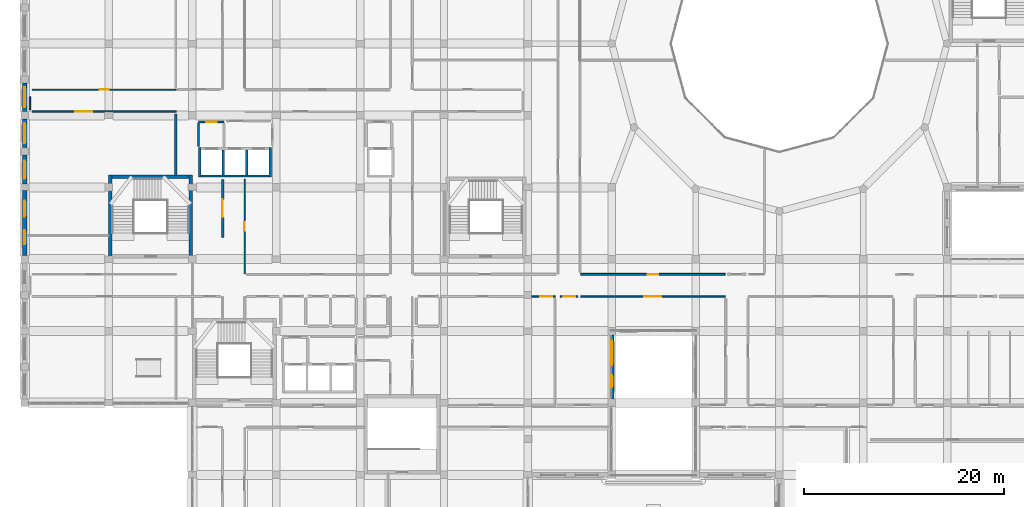
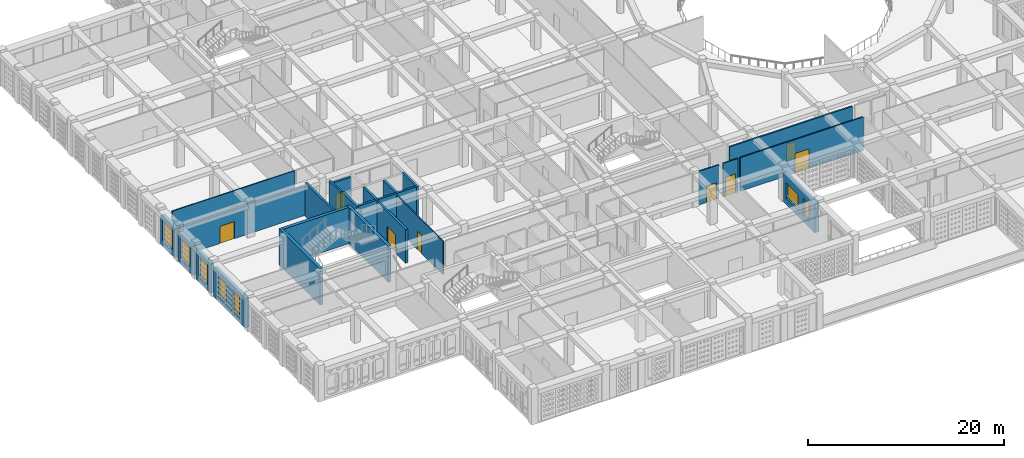
# One storey, part 58 of 111: 25 walls, 9 doors, 7 windows, 16 openings.
"""IFC4 building model written with IfcOpenShell, lengths in metres."""

from ifc_helpers import new_model, si_unit, derived_unit, direction, frame, frame_2d, origin, place, context, subcontext, project, spatial, rectangle, extrude, material, layer, layer_set, type_object, element, fill, save


model = new_model("IFC4")

# Units and contexts
model_context = context("Model", 3, precision=1e-05, world=origin(), true_north=direction((0.0, 1.0)))
body_context = subcontext(model_context, "Body", "Model", "MODEL_VIEW")
ifc_project = project(units=[si_unit("LENGTHUNIT", "METRE"), si_unit("AREAUNIT", "SQUARE_METRE"), si_unit("VOLUMEUNIT", "CUBIC_METRE"), si_unit("PLANEANGLEUNIT", "RADIAN"), si_unit("MASSUNIT", "GRAM", prefix="KILO"), derived_unit("THERMALTRANSMITTANCEUNIT", [(si_unit("POWERUNIT", "WATT"), 1), (si_unit("LENGTHUNIT", "METRE"), -2), (si_unit("THERMODYNAMICTEMPERATUREUNIT", "KELVIN"), -1)])], contexts=[model_context])

# Site, building, storey
site_placement = place(None, origin())
site = spatial("IfcSite", under=ifc_project, at=site_placement, CompositionType="ELEMENT")
building_placement = place(site_placement, origin())
building = spatial("IfcBuilding", under=site, at=building_placement, Name="Veybourne Emporium", CompositionType="ELEMENT")
storey_placement = place(building_placement, frame((0.0, 0.0, 9.89990234375)))
storey = spatial("IfcBuildingStorey", under=building, at=storey_placement, Name="L02", CompositionType="ELEMENT", Elevation=9.89990234375)

# Wall, openings, windows
ifc_material_1 = material(Name="Portland Limestone Ashlar", Category="masonry")
ifc_layer_1 = layer(ifc_material_1, 0.47998046875)
ifc_layer_set_1 = layer_set([ifc_layer_1], Name="Portland Limestone Ashlar")
wall_type_1 = type_object("IfcWallType", Name="ExtWall_EW-01", PredefinedType="SOLIDWALL", material=ifc_layer_set_1)
wall_1_placement = place(storey_placement, frame((0.0, 29.175048828125, 0.0), z_axis=(0.0, 0.0, 1.0), x_axis=(0.0, 1.0, 0.0)))
wall_1 = element("IfcWall", 1, at=wall_1_placement, inside=storey, type_object=wall_type_1, Name="L02 Portland stone external wall 004", PredefinedType="SOLIDWALL", context=body_context, shape_type="SweptSolid", body=[
    extrude(rectangle(XDim=6.5, YDim=0.47998046875, at=frame_2d((3.25, 0.0))), origin(), (0.0, 0.0, 1.0), 3.630126953125),
])
opening_1_placement = place(wall_1_placement, frame((1.1201171875, 0.0, 0.75)))
opening_1 = element("IfcOpeningElement", 2, at=opening_1_placement, cuts=wall_1, Name="Opening W-26", PredefinedType="OPENING", context=body_context, shape_type="SweptSolid", body=[
    extrude(rectangle(XDim=1.39990234375, YDim=2.43994140625, at=frame_2d((0.699951171875, 1.219970703125))), frame((0.0, 0.260009765625, 0.0), z_axis=(0.0, -1.0, 0.0), x_axis=(1.0, 0.0, 0.0)), (0.0, 0.0, 1.0), 0.52001953125),
])
opening_2_placement = place(wall_1_placement, frame((3.8798828125, 0.0, 0.75)))
opening_2 = element("IfcOpeningElement", 3, at=opening_2_placement, cuts=wall_1, Name="Opening W-27", PredefinedType="OPENING", context=body_context, shape_type="SweptSolid", body=[
    extrude(rectangle(XDim=1.60009765625, YDim=2.43994140625, at=frame_2d((0.800048828125, 1.219970703125))), frame((0.0, 0.260009765625, 0.0), z_axis=(0.0, -1.0, 0.0), x_axis=(1.0, 0.0, 0.0)), (0.0, 0.0, 1.0), 0.52001953125),
])
ifc_material_2 = material(Name="Low-E Triple Glazing", Category="glass")
window_type_1 = type_object("IfcWindowType", Name="Win_W-26", PartitioningType="DOUBLE_PANEL_VERTICAL", PredefinedType="WINDOW", material=ifc_material_2)
window_1_placement = place(opening_1_placement, origin())
window_1 = element("IfcWindow", 4, at=window_1_placement, inside=storey, type_object=window_type_1, Name="L02 tripartite bronze casement window W-26 (4.1)", OverallHeight=2.43994140625, OverallWidth=1.39990234375, PartitioningType="DOUBLE_PANEL_VERTICAL", PredefinedType="WINDOW", context=body_context, shape_type="SweptSolid", body=[
    extrude(rectangle(XDim=1.39990234375, YDim=2.43994140625, at=frame_2d((0.699951171875, 1.219970703125))), frame((0.0, 0.030029296875, 0.0), z_axis=(0.0, -1.0, 0.0), x_axis=(1.0, 0.0, 0.0)), (0.0, 0.0, 1.0), 0.06005859375),
])
fill(opening_1, window_1)
window_type_2 = type_object("IfcWindowType", Name="Win_W-27", PartitioningType="DOUBLE_PANEL_VERTICAL", PredefinedType="WINDOW", material=ifc_material_2)
window_2_placement = place(opening_2_placement, origin())
window_2 = element("IfcWindow", 5, at=window_2_placement, inside=storey, type_object=window_type_2, Name="L02 tripartite bronze casement window W-27 (4.2)", OverallHeight=2.43994140625, OverallWidth=1.60009765625, PartitioningType="DOUBLE_PANEL_VERTICAL", PredefinedType="WINDOW", context=body_context, shape_type="SweptSolid", body=[
    extrude(rectangle(XDim=1.60009765625, YDim=2.43994140625, at=frame_2d((0.800048828125, 1.219970703125))), frame((0.0, 0.030029296875, 0.0), z_axis=(0.0, -1.0, 0.0), x_axis=(1.0, 0.0, 0.0)), (0.0, 0.0, 1.0), 0.06005859375),
])
fill(opening_2, window_2)

# Wall, opening, window
wall_2_placement = place(storey_placement, frame((0.0, 36.324951171875, 0.0), z_axis=(0.0, 0.0, 1.0), x_axis=(0.0, 1.0, 0.0)))
wall_2 = element("IfcWall", 6, at=wall_2_placement, inside=storey, type_object=wall_type_1, Name="L02 Portland stone external wall 005A", PredefinedType="SOLIDWALL", context=body_context, shape_type="SweptSolid", body=[
    extrude(rectangle(XDim=2.905029296875, YDim=0.47998046875, at=frame_2d((1.45263671875, 0.0))), origin(), (0.0, 0.0, 1.0), 3.630126953125),
])
opening_3_placement = place(wall_2_placement, frame((0.552490234375, 0.0, 0.75)))
opening_3 = element("IfcOpeningElement", 7, at=opening_3_placement, cuts=wall_2, Name="Opening W-28", PredefinedType="OPENING", context=body_context, shape_type="SweptSolid", body=[
    extrude(rectangle(XDim=1.800048828125, YDim=2.43994140625, at=frame_2d((0.89990234375, 1.219970703125))), frame((0.0, 0.260009765625, 0.0), z_axis=(0.0, -1.0, 0.0), x_axis=(1.0, 0.0, 0.0)), (0.0, 0.0, 1.0), 0.52001953125),
])
window_type_3 = type_object("IfcWindowType", Name="Win_W-28", PartitioningType="DOUBLE_PANEL_VERTICAL", PredefinedType="WINDOW", material=ifc_material_2)
window_3_placement = place(opening_3_placement, origin())
window_3 = element("IfcWindow", 8, at=window_3_placement, inside=storey, type_object=window_type_3, Name="L02 tripartite bronze casement window W-28 (5A)", OverallHeight=2.43994140625, OverallWidth=1.800048828125, PartitioningType="DOUBLE_PANEL_VERTICAL", PredefinedType="WINDOW", context=body_context, shape_type="SweptSolid", body=[
    extrude(rectangle(XDim=1.800048828125, YDim=2.43994140625, at=frame_2d((0.89990234375, 1.219970703125))), frame((0.0, 0.030029296875, 0.0), z_axis=(0.0, -1.0, 0.0), x_axis=(1.0, 0.0, 0.0)), (0.0, 0.0, 1.0), 0.06005859375),
])
fill(opening_3, window_3)

wall_3_placement = place(storey_placement, frame((0.0, 39.969970703125, 0.0), z_axis=(0.0, 0.0, 1.0), x_axis=(0.0, 1.0, 0.0)))
wall_3 = element("IfcWall", 9, at=wall_3_placement, inside=storey, type_object=wall_type_1, Name="L02 Portland stone external wall 005B", PredefinedType="SOLIDWALL", context=body_context, shape_type="SweptSolid", body=[
    extrude(rectangle(XDim=2.85498046875, YDim=0.47998046875, at=frame_2d((1.427490234375, 0.0))), origin(), (0.0, 0.0, 1.0), 3.630126953125),
])
opening_4_placement = place(wall_3_placement, frame((0.427490234375, 0.0, 0.75)))
opening_4 = element("IfcOpeningElement", 10, at=opening_4_placement, cuts=wall_3, Name="Opening W-29", PredefinedType="OPENING", context=body_context, shape_type="SweptSolid", body=[
    extrude(rectangle(XDim=2.0, YDim=2.43994140625, at=frame_2d((1.0, 1.219970703125))), frame((0.0, 0.260009765625, 0.0), z_axis=(0.0, -1.0, 0.0), x_axis=(1.0, 0.0, 0.0)), (0.0, 0.0, 1.0), 0.52001953125),
])
window_type_4 = type_object("IfcWindowType", Name="Win_W-29", PartitioningType="TRIPLE_PANEL_VERTICAL", PredefinedType="WINDOW", material=ifc_material_2)
window_4_placement = place(opening_4_placement, origin())
window_4 = element("IfcWindow", 11, at=window_4_placement, inside=storey, type_object=window_type_4, Name="L02 tripartite bronze casement window W-29 (5B)", OverallHeight=2.43994140625, OverallWidth=2.0, PartitioningType="TRIPLE_PANEL_VERTICAL", PredefinedType="WINDOW", context=body_context, shape_type="SweptSolid", body=[
    extrude(rectangle(XDim=2.0, YDim=2.43994140625, at=frame_2d((1.0, 1.219970703125))), frame((0.0, 0.030029296875, 0.0), z_axis=(0.0, -1.0, 0.0), x_axis=(1.0, 0.0, 0.0)), (0.0, 0.0, 1.0), 0.06005859375),
])
fill(opening_4, window_4)

wall_4_placement = place(storey_placement, frame((0.0, 43.574951171875, 0.0), z_axis=(0.0, 0.0, 1.0), x_axis=(0.0, 1.0, 0.0)))
wall_4 = element("IfcWall", 12, at=wall_4_placement, inside=storey, type_object=wall_type_1, Name="L02 Portland stone external wall 006A", PredefinedType="SOLIDWALL", context=body_context, shape_type="SweptSolid", body=[
    extrude(rectangle(XDim=2.85498046875, YDim=0.47998046875, at=frame_2d((1.427490234375, 0.0))), origin(), (0.0, 0.0, 1.0), 3.630126953125),
])
opening_5_placement = place(wall_4_placement, frame((0.427490234375, 0.0, 0.75)))
opening_5 = element("IfcOpeningElement", 13, at=opening_5_placement, cuts=wall_4, Name="Opening W-30", PredefinedType="OPENING", context=body_context, shape_type="SweptSolid", body=[
    extrude(rectangle(XDim=2.0, YDim=2.43994140625, at=frame_2d((1.0, 1.219970703125))), frame((0.0, 0.260009765625, 0.0), z_axis=(0.0, -1.0, 0.0), x_axis=(1.0, 0.0, 0.0)), (0.0, 0.0, 1.0), 0.52001953125),
])
window_type_5 = type_object("IfcWindowType", Name="Win_W-30", PartitioningType="TRIPLE_PANEL_VERTICAL", PredefinedType="WINDOW", material=ifc_material_2)
window_5_placement = place(opening_5_placement, origin())
window_5 = element("IfcWindow", 14, at=window_5_placement, inside=storey, type_object=window_type_5, Name="L02 tripartite bronze casement window W-30 (6A)", OverallHeight=2.43994140625, OverallWidth=2.0, PartitioningType="TRIPLE_PANEL_VERTICAL", PredefinedType="WINDOW", context=body_context, shape_type="SweptSolid", body=[
    extrude(rectangle(XDim=2.0, YDim=2.43994140625, at=frame_2d((1.0, 1.219970703125))), frame((0.0, 0.030029296875, 0.0), z_axis=(0.0, -1.0, 0.0), x_axis=(1.0, 0.0, 0.0)), (0.0, 0.0, 1.0), 0.06005859375),
])
fill(opening_5, window_5)

# Wall, openings, windows
wall_5_placement = place(storey_placement, frame((58.800048828125, 21.22509765625, 0.0), z_axis=(0.0, 0.0, 1.0), x_axis=(0.0, -1.0, 0.0)))
wall_5 = element("IfcWall", 15, at=wall_5_placement, inside=storey, type_object=wall_type_1, Name="L02 Portland stone external wall 031", PredefinedType="SOLIDWALL", context=body_context, shape_type="SweptSolid", body=[
    extrude(rectangle(XDim=6.4501953125, YDim=0.47998046875, at=frame_2d((3.22509765625, 0.0))), origin(), (0.0, 0.0, 1.0), 3.630126953125),
])
opening_6_placement = place(wall_5_placement, frame((0.5810546875, 0.0, 0.75)))
opening_6 = element("IfcOpeningElement", 16, at=opening_6_placement, cuts=wall_5, Name="Opening W-08", PredefinedType="OPENING", context=body_context, shape_type="SweptSolid", body=[
    extrude(rectangle(XDim=2.449951171875, YDim=1.89990234375, at=frame_2d((1.22509765625, 0.949951171875))), frame((0.0, 0.260009765625, 0.0), z_axis=(0.0, -1.0, 0.0), x_axis=(1.0, 0.0, 0.0)), (0.0, 0.0, 1.0), 0.52001953125),
])
opening_7_placement = place(wall_5_placement, frame((4.0439453125, 0.0, 0.75)))
opening_7 = element("IfcOpeningElement", 17, at=opening_7_placement, cuts=wall_5, Name="Opening W-09", PredefinedType="OPENING", context=body_context, shape_type="SweptSolid", body=[
    extrude(rectangle(XDim=1.199951171875, YDim=2.080078125, at=frame_2d((0.60009765625, 1.0400390625))), frame((0.0, 0.260009765625, 0.0), z_axis=(0.0, -1.0, 0.0), x_axis=(1.0, 0.0, 0.0)), (0.0, 0.0, 1.0), 0.52001953125),
])
window_type_6 = type_object("IfcWindowType", Name="Win_W-08", PartitioningType="TRIPLE_PANEL_VERTICAL", PredefinedType="WINDOW", material=ifc_material_2)
window_6_placement = place(opening_6_placement, origin())
window_6 = element("IfcWindow", 18, at=window_6_placement, inside=storey, type_object=window_type_6, Name="L02 tripartite bronze casement window W-08 (31.1)", OverallHeight=1.89990234375, OverallWidth=2.449951171875, PartitioningType="TRIPLE_PANEL_VERTICAL", PredefinedType="WINDOW", context=body_context, shape_type="SweptSolid", body=[
    extrude(rectangle(XDim=2.449951171875, YDim=1.89990234375, at=frame_2d((1.22509765625, 0.949951171875))), frame((0.0, 0.030029296875, 0.0), z_axis=(0.0, -1.0, 0.0), x_axis=(1.0, 0.0, 0.0)), (0.0, 0.0, 1.0), 0.06005859375),
])
fill(opening_6, window_6)
window_type_7 = type_object("IfcWindowType", Name="Win_W-09", PartitioningType="SINGLE_PANEL", PredefinedType="WINDOW", material=ifc_material_2)
window_7_placement = place(opening_7_placement, origin())
window_7 = element("IfcWindow", 19, at=window_7_placement, inside=storey, type_object=window_type_7, Name="L02 tripartite bronze casement window W-09 (31.2)", OverallHeight=2.080078125, OverallWidth=1.199951171875, PartitioningType="SINGLE_PANEL", PredefinedType="WINDOW", context=body_context, shape_type="SweptSolid", body=[
    extrude(rectangle(XDim=1.199951171875, YDim=2.080078125, at=frame_2d((0.60009765625, 1.0400390625))), frame((0.0, 0.030029296875, 0.0), z_axis=(0.0, -1.0, 0.0), x_axis=(1.0, 0.0, 0.0)), (0.0, 0.0, 1.0), 0.06005859375),
])
fill(opening_7, window_7)

# Walls
ifc_material_3 = material(Name="Concrete C40/50", Category="concrete")
ifc_layer_2 = layer(ifc_material_3, 0.35009765625)
ifc_layer_set_2 = layer_set([ifc_layer_2], Name="Concrete C40/50")
wall_type_2 = type_object("IfcWallType", Name="IntWall_CW-02", PredefinedType="SHEAR", material=ifc_layer_set_2)
wall_6_placement = place(storey_placement, frame((8.75, 37.074951171875, 0.0), z_axis=(0.0, 0.0, 1.0), x_axis=(1.0, 0.0, 0.0)))
element("IfcWall", 20, at=wall_6_placement, inside=storey, type_object=wall_type_2, Name="Core stair ST-02 north shear wall (L02)", PredefinedType="SHEAR", context=body_context, shape_type="SweptSolid", body=[
    extrude(rectangle(XDim=7.699951171875, YDim=0.35009765625, at=frame_2d((3.85009765625, 0.0))), origin(), (0.0, 0.0, 1.0), 4.5),
])
for number, where, z_axis, x_axis, name in (
    (21, (8.574951171875, 37.25, 0.0), (0.0, 0.0, 1.0), (0.0, -1.0, 0.0), "Core stair ST-02 west shear wall (L02)"),
    (22, (16.625, 28.89990234375, 0.0), (0.0, 0.0, 1.0), (0.0, 1.0, 0.0), "Core stair ST-02 east shear wall (L02)"),
):
    element("IfcWall", number, at=place(storey_placement, frame(where, z_axis=z_axis, x_axis=x_axis)), inside=storey, type_object=wall_type_2, Name=name, PredefinedType="SHEAR", context=body_context, shape_type="SweptSolid", body=[
        extrude(rectangle(XDim=8.35009765625, YDim=0.35009765625, at=frame_2d((4.175048828125, 0.0))), origin(), (0.0, 0.0, 1.0), 4.5),
    ])
ifc_layer_3 = layer(ifc_material_3, 0.239990234375)
ifc_layer_set_3 = layer_set([ifc_layer_3], Name="Concrete C40/50")
wall_type_3 = type_object("IfcWallType", Name="IntWall_CW-04", PredefinedType="SHEAR", material=ifc_layer_set_3)
wall_7_placement = place(storey_placement, frame((17.659912109375, 37.1298828125, 0.0), z_axis=(0.0, 0.0, 1.0), x_axis=(1.0, 0.0, 0.0)))
element("IfcWall", 23, at=wall_7_placement, inside=storey, type_object=wall_type_3, Name="Lift core C2 south shaft wall (L02)", PredefinedType="SHEAR", context=body_context, shape_type="SweptSolid", body=[
    extrude(rectangle(XDim=6.820068359375, YDim=0.239990234375, at=frame_2d((3.41015625, 0.0))), origin(), (0.0, 0.0, 1.0), 4.18017578125),
])
for number, where, z_axis, x_axis, name in (
    (24, (17.5400390625, 39.989990234375, 0.0), (0.0, 0.0, 1.0), (0.0, -1.0, 0.0), "Lift core C2 west shaft wall (L02)"),
    (25, (24.60009765625, 37.010009765625, 0.0), (0.0, 0.0, 1.0), (0.0, 1.0, 0.0), "Lift core C2 east shaft wall (L02)"),
):
    element("IfcWall", number, at=place(storey_placement, frame(where, z_axis=z_axis, x_axis=x_axis)), inside=storey, type_object=wall_type_3, Name=name, PredefinedType="SHEAR", context=body_context, shape_type="SweptSolid", body=[
        extrude(rectangle(XDim=2.97998046875, YDim=0.239990234375, at=frame_2d((1.489990234375, 0.0))), origin(), (0.0, 0.0, 1.0), 4.18017578125),
    ])
for number, where, z_axis, x_axis, name in (
    (26, (19.8798828125, 37.25, 0.0), (0.0, 0.0, 1.0), (0.0, 1.0, 0.0), "Lift core C2 divider wall 1 (L02)"),
    (27, (22.239990234375, 37.25, 0.0), (0.0, 0.0, 1.0), (0.0, 1.0, 0.0), "Lift core C2 divider wall 2 (L02)"),
):
    element("IfcWall", number, at=place(storey_placement, frame(where, z_axis=z_axis, x_axis=x_axis)), inside=storey, type_object=wall_type_3, Name=name, PredefinedType="SHEAR", context=body_context, shape_type="SweptSolid", body=[
        extrude(rectangle(XDim=2.5, YDim=0.239990234375, at=frame_2d((1.25, 0.0))), origin(), (0.0, 0.0, 1.0), 4.18017578125),
    ])

# Wall, opening, door
ifc_material_4 = material(Name="Concrete C32/40", Category="concrete")
ifc_layer_4 = layer(ifc_material_4, 0.25)
ifc_layer_set_4 = layer_set([ifc_layer_4], Name="Concrete C32/40")
wall_type_4 = type_object("IfcWallType", Name="IntWall_FW-01", PredefinedType="SOLIDWALL", material=ifc_layer_set_4)
wall_8_placement = place(storey_placement, frame((19.820068359375, 30.962890625, 0.0), z_axis=(0.0, 0.0, 1.0), x_axis=(0.0, 1.0, 0.0)))
wall_8 = element("IfcWall", 28, at=wall_8_placement, inside=storey, type_object=wall_type_4, Name="L02 interior partition FW-01 #083", PredefinedType="SOLIDWALL", context=body_context, shape_type="SweptSolid", body=[
    extrude(rectangle(XDim=5.837158203125, YDim=0.25, at=frame_2d((2.91845703125, 0.0))), origin(), (0.0, 0.0, 1.0), 4.18017578125),
])
opening_8_placement = place(wall_8_placement, frame((2.0185546875, 0.0, 0.0)))
opening_8 = element("IfcOpeningElement", 29, at=opening_8_placement, cuts=wall_8, Name="Opening FD-03", PredefinedType="OPENING", context=body_context, shape_type="SweptSolid", body=[
    extrude(rectangle(XDim=1.800048828125, YDim=2.300048828125, at=frame_2d((0.89990234375, 1.14990234375))), frame((0.0, 0.14501953125, 0.0), z_axis=(0.0, -1.0, 0.0), x_axis=(1.0, 0.0, 0.0)), (0.0, 0.0, 1.0), 0.2900390625),
])
ifc_material_5 = material(Name="Patinated Architectural Bronze", Category="bronze")
door_type_1 = type_object("IfcDoorType", Name="FireDoor_FD-03", OperationType="DOUBLE_DOOR_SINGLE_SWING", PredefinedType="DOOR", material=ifc_material_5)
door_1_placement = place(opening_8_placement, origin())
door_1 = element("IfcDoor", 30, at=door_1_placement, inside=storey, type_object=door_type_1, Name="L02 interior door FD-03 (PART-L02-083)", OperationType="DOUBLE_DOOR_SINGLE_SWING", OverallHeight=2.300048828125, OverallWidth=1.800048828125, PredefinedType="DOOR", context=body_context, shape_type="SweptSolid", body=[
    extrude(rectangle(XDim=1.800048828125, YDim=2.300048828125, at=frame_2d((0.89990234375, 1.14990234375))), frame((0.0, 0.02490234375, 0.0), z_axis=(0.0, -1.0, 0.0), x_axis=(1.0, 0.0, 0.0)), (0.0, 0.0, 1.0), 0.050048828125),
])
fill(opening_8, door_1)

# Wall
wall_9_placement = place(storey_placement, frame((15.1298828125, 37.18994140625, 0.0), z_axis=(0.0, 0.0, 1.0), x_axis=(0.0, 1.0, 0.0)))
element("IfcWall", 31, at=wall_9_placement, inside=storey, type_object=wall_type_4, Name="L02 interior partition FW-01 #193", PredefinedType="SOLIDWALL", context=body_context, shape_type="SweptSolid", body=[
    extrude(rectangle(XDim=6.170166015625, YDim=0.25, at=frame_2d((3.0849609375, 0.0))), origin(), (0.0, 0.0, 1.0), 4.18017578125),
])

# Wall, opening, door
ifc_layer_5 = layer(ifc_material_4, 0.219970703125)
ifc_layer_set_5 = layer_set([ifc_layer_5], Name="Concrete C32/40")
wall_type_5 = type_object("IfcWallType", Name="IntWall_FW-02", PredefinedType="SOLIDWALL", material=ifc_layer_set_5)
wall_10_placement = place(storey_placement, frame((17.419921875, 42.550048828125, 0.0), z_axis=(0.0, 0.0, 1.0), x_axis=(1.0, 0.0, 0.0)))
wall_10 = element("IfcWall", 32, at=wall_10_placement, inside=storey, type_object=wall_type_5, Name="Firefighting lobby C2 fire wall N (L02)", PredefinedType="SOLIDWALL", context=body_context, shape_type="SweptSolid", body=[
    extrude(rectangle(XDim=2.5400390625, YDim=0.219970703125, at=frame_2d((1.27001953125, 0.0))), origin(), (0.0, 0.0, 1.0), 3.72998046875),
])
opening_9_placement = place(wall_10_placement, frame((0.7451171875, 0.0, 0.0)))
opening_9 = element("IfcOpeningElement", 33, at=opening_9_placement, cuts=wall_10, Name="Opening FD-02", PredefinedType="OPENING", context=body_context, shape_type="SweptSolid", body=[
    extrude(rectangle(XDim=1.050048828125, YDim=2.14990234375, at=frame_2d((0.52490234375, 1.074951171875))), frame((0.0, 0.1298828125, 0.0), z_axis=(0.0, -1.0, 0.0), x_axis=(1.0, 0.0, 0.0)), (0.0, 0.0, 1.0), 0.260009765625),
])
door_type_2 = type_object("IfcDoorType", Name="FireDoor_FD-02", OperationType="NOTDEFINED", PredefinedType="DOOR", material=ifc_material_5)
door_2_placement = place(opening_9_placement, origin())
door_2 = element("IfcDoor", 34, at=door_2_placement, inside=storey, type_object=door_type_2, Name="Firefighting lobby C2 FD60S door N (L02)", OperationType="SINGLE_SWING_RIGHT", OverallHeight=2.14990234375, OverallWidth=1.050048828125, PredefinedType="DOOR", context=body_context, shape_type="SweptSolid", body=[
    extrude(rectangle(XDim=1.050048828125, YDim=2.14990234375, at=frame_2d((0.52490234375, 1.074951171875))), frame((0.0, 0.02490234375, 0.0), z_axis=(0.0, -1.0, 0.0), x_axis=(1.0, 0.0, 0.0)), (0.0, 0.0, 1.0), 0.050048828125),
])
fill(opening_9, door_2)

# Wall
wall_11_placement = place(storey_placement, frame((17.419921875, 40.110107421875, 0.0), z_axis=(0.0, 0.0, 1.0), x_axis=(0.0, 1.0, 0.0)))
element("IfcWall", 35, at=wall_11_placement, inside=storey, type_object=wall_type_5, Name="Firefighting lobby C2 fire wall W (L02)", PredefinedType="SOLIDWALL", context=body_context, shape_type="SweptSolid", body=[
    extrude(rectangle(XDim=2.31982421875, YDim=0.219970703125, at=frame_2d((1.159912109375, 0.0))), origin(), (0.0, 0.0, 1.0), 4.18017578125),
])

# Wall, opening, door
ifc_material_6 = material(Name="Gypsum Acoustic Board", Category="gypsum")
ifc_layer_6 = layer(ifc_material_6, 0.179931640625)
ifc_layer_set_6 = layer_set([ifc_layer_6], Name="Gypsum Acoustic Board")
wall_type_6 = type_object("IfcWallType", Name="IntWall_IW-01", PredefinedType="PARTITIONING", material=ifc_layer_set_6)
wall_12_placement = place(storey_placement, frame((55.679931640625, 27.280029296875, 0.0), z_axis=(0.0, 0.0, 1.0), x_axis=(1.0, 0.0, 0.0)))
wall_12 = element("IfcWall", 36, at=wall_12_placement, inside=storey, type_object=wall_type_6, Name="L02 interior partition IW-01 #024", PredefinedType="PARTITIONING", context=body_context, shape_type="SweptSolid", body=[
    extrude(rectangle(XDim=14.489990234375, YDim=0.179931640625, at=frame_2d((7.2451171875, 0.0))), origin(), (0.0, 0.0, 1.0), 4.18017578125),
])
opening_10_placement = place(wall_12_placement, frame((6.72509765625, 0.0, 0.0)))
opening_10 = element("IfcOpeningElement", 37, at=opening_10_placement, cuts=wall_12, Name="Opening D-08", PredefinedType="OPENING", context=body_context, shape_type="SweptSolid", body=[
    extrude(rectangle(XDim=1.0400390625, YDim=2.1298828125, at=frame_2d((0.52001953125, 1.06494140625))), frame((0.0, 0.10986328125, 0.0), z_axis=(0.0, -1.0, 0.0), x_axis=(1.0, 0.0, 0.0)), (0.0, 0.0, 1.0), 0.219970703125),
])
ifc_material_7 = material(Name="European Oak Veneer and Bronze", Category="wood")
door_type_3 = type_object("IfcDoorType", Name="IntDoor_D-08", OperationType="NOTDEFINED", PredefinedType="DOOR", material=ifc_material_7)
door_3_placement = place(opening_10_placement, origin())
door_3 = element("IfcDoor", 38, at=door_3_placement, inside=storey, type_object=door_type_3, Name="L02 interior door D-08 (PART-L02-024)", OperationType="SINGLE_SWING_LEFT", OverallHeight=2.1298828125, OverallWidth=1.0400390625, PredefinedType="DOOR", context=body_context, shape_type="SweptSolid", body=[
    extrude(rectangle(XDim=1.0400390625, YDim=2.1298828125, at=frame_2d((0.52001953125, 1.06494140625))), frame((0.0, 0.02490234375, 0.0), z_axis=(0.0, -1.0, 0.0), x_axis=(1.0, 0.0, 0.0)), (0.0, 0.0, 1.0), 0.050048828125),
])
fill(opening_10, door_3)

ifc_layer_7 = layer(ifc_material_6, 0.14990234375)
ifc_layer_set_7 = layer_set([ifc_layer_7], Name="Gypsum Acoustic Board")
wall_type_7 = type_object("IfcWallType", Name="IntWall_IW-02", PredefinedType="PARTITIONING", material=ifc_layer_set_7)
wall_13_placement = place(storey_placement, frame((55.679931640625, 25.070068359375, 0.0), z_axis=(0.0, 0.0, 1.0), x_axis=(1.0, 0.0, 0.0)))
wall_13 = element("IfcWall", 39, at=wall_13_placement, inside=storey, type_object=wall_type_7, Name="L02 interior partition IW-02 #016", PredefinedType="PARTITIONING", context=body_context, shape_type="SweptSolid", body=[
    extrude(rectangle(XDim=14.489990234375, YDim=0.14990234375, at=frame_2d((7.2451171875, 0.0))), origin(), (0.0, 0.0, 1.0), 4.18017578125),
])
opening_11_placement = place(wall_13_placement, frame((6.405029296875, 0.0, 0.0)))
opening_11 = element("IfcOpeningElement", 40, at=opening_11_placement, cuts=wall_13, Name="Opening D-36", PredefinedType="OPENING", context=body_context, shape_type="SweptSolid", body=[
    extrude(rectangle(XDim=1.679931640625, YDim=2.449951171875, at=frame_2d((0.83984375, 1.22509765625))), frame((0.0, 0.094970703125, 0.0), z_axis=(0.0, -1.0, 0.0), x_axis=(1.0, 0.0, 0.0)), (0.0, 0.0, 1.0), 0.18994140625),
])
door_type_4 = type_object("IfcDoorType", Name="IntDoor_D-36", OperationType="DOUBLE_DOOR_SINGLE_SWING", PredefinedType="DOOR", material=ifc_material_7)
door_4_placement = place(opening_11_placement, origin())
door_4 = element("IfcDoor", 41, at=door_4_placement, inside=storey, type_object=door_type_4, Name="L02 interior door D-36 (PART-L02-016)", OperationType="DOUBLE_DOOR_SINGLE_SWING", OverallHeight=2.449951171875, OverallWidth=1.679931640625, PredefinedType="DOOR", context=body_context, shape_type="SweptSolid", body=[
    extrude(rectangle(XDim=1.679931640625, YDim=2.449951171875, at=frame_2d((0.83984375, 1.22509765625))), frame((0.0, 0.02490234375, 0.0), z_axis=(0.0, -1.0, 0.0), x_axis=(1.0, 0.0, 0.0)), (0.0, 0.0, 1.0), 0.050048828125),
])
fill(opening_11, door_4)

wall_14_placement = place(storey_placement, frame((0.72998046875, 43.570068359375, 0.0), z_axis=(0.0, 0.0, 1.0), x_axis=(1.0, 0.0, 0.0)))
wall_14 = element("IfcWall", 42, at=wall_14_placement, inside=storey, type_object=wall_type_7, Name="L02 interior partition IW-02 #028", PredefinedType="PARTITIONING", context=body_context, shape_type="SweptSolid", body=[
    extrude(rectangle(XDim=14.449951171875, YDim=0.14990234375, at=frame_2d((7.22509765625, 0.0))), origin(), (0.0, 0.0, 1.0), 3.72998046875),
])
opening_12_placement = place(wall_14_placement, frame((4.341796875, 0.0, 0.0)))
opening_12 = element("IfcOpeningElement", 43, at=opening_12_placement, cuts=wall_14, Name="Opening D-12", PredefinedType="OPENING", context=body_context, shape_type="SweptSolid", body=[
    extrude(rectangle(XDim=1.679931640625, YDim=2.1298828125, at=frame_2d((0.83984375, 1.06494140625))), frame((0.0, 0.094970703125, 0.0), z_axis=(0.0, -1.0, 0.0), x_axis=(1.0, 0.0, 0.0)), (0.0, 0.0, 1.0), 0.18994140625),
])
door_type_5 = type_object("IfcDoorType", Name="IntDoor_D-12", OperationType="DOUBLE_DOOR_SINGLE_SWING", PredefinedType="DOOR", material=ifc_material_7)
door_5_placement = place(opening_12_placement, origin())
door_5 = element("IfcDoor", 44, at=door_5_placement, inside=storey, type_object=door_type_5, Name="L02 interior door D-12 (PART-L02-028)", OperationType="DOUBLE_DOOR_SINGLE_SWING", OverallHeight=2.1298828125, OverallWidth=1.679931640625, PredefinedType="DOOR", context=body_context, shape_type="SweptSolid", body=[
    extrude(rectangle(XDim=1.679931640625, YDim=2.1298828125, at=frame_2d((0.83984375, 1.06494140625))), frame((0.0, 0.02490234375, 0.0), z_axis=(0.0, -1.0, 0.0), x_axis=(1.0, 0.0, 0.0)), (0.0, 0.0, 1.0), 0.050048828125),
])
fill(opening_12, door_5)

wall_15_placement = place(storey_placement, frame((50.81005859375, 25.070068359375, 0.0), z_axis=(0.0, 0.0, 1.0), x_axis=(1.0, 0.0, 0.0)))
wall_15 = element("IfcWall", 45, at=wall_15_placement, inside=storey, type_object=wall_type_7, Name="L02 interior partition IW-02 #055", PredefinedType="PARTITIONING", context=body_context, shape_type="SweptSolid", body=[
    extrude(rectangle(XDim=2.344970703125, YDim=0.14990234375, at=frame_2d((1.17236328125, 0.0))), origin(), (0.0, 0.0, 1.0), 4.18017578125),
])
opening_13_placement = place(wall_15_placement, frame((0.847412109375, 0.0, 0.0)))
opening_13 = element("IfcOpeningElement", 46, at=opening_13_placement, cuts=wall_15, Name="Opening D-03", PredefinedType="OPENING", context=body_context, shape_type="SweptSolid", body=[
    extrude(rectangle(XDim=1.199951171875, YDim=2.050048828125, at=frame_2d((0.60009765625, 1.02490234375))), frame((0.0, 0.094970703125, 0.0), z_axis=(0.0, -1.0, 0.0), x_axis=(1.0, 0.0, 0.0)), (0.0, 0.0, 1.0), 0.18994140625),
])
door_type_6 = type_object("IfcDoorType", Name="IntDoor_D-03", OperationType="NOTDEFINED", PredefinedType="DOOR", material=ifc_material_7)
door_6_placement = place(opening_13_placement, origin())
door_6 = element("IfcDoor", 47, at=door_6_placement, inside=storey, type_object=door_type_6, Name="L02 interior door D-03 (PART-L02-055)", OperationType="SINGLE_SWING_LEFT", OverallHeight=2.050048828125, OverallWidth=1.199951171875, PredefinedType="DOOR", context=body_context, shape_type="SweptSolid", body=[
    extrude(rectangle(XDim=1.199951171875, YDim=2.050048828125, at=frame_2d((0.60009765625, 1.02490234375))), frame((0.0, 0.02490234375, 0.0), z_axis=(0.0, -1.0, 0.0), x_axis=(1.0, 0.0, 0.0)), (0.0, 0.0, 1.0), 0.050048828125),
])
fill(opening_13, door_6)

wall_16_placement = place(storey_placement, frame((53.6298828125, 25.070068359375, 0.0), z_axis=(0.0, 0.0, 1.0), x_axis=(1.0, 0.0, 0.0)))
wall_16 = element("IfcWall", 48, at=wall_16_placement, inside=storey, type_object=wall_type_7, Name="L02 interior partition IW-02 #151", PredefinedType="PARTITIONING", context=body_context, shape_type="SweptSolid", body=[
    extrude(rectangle(XDim=1.7900390625, YDim=0.14990234375, at=frame_2d((0.89501953125, 0.0))), origin(), (0.0, 0.0, 1.0), 4.18017578125),
])
opening_14_placement = place(wall_16_placement, frame((0.294921875, 0.0, 0.0)))
opening_14 = element("IfcOpeningElement", 49, at=opening_14_placement, cuts=wall_16, Name="Opening D-27", PredefinedType="OPENING", context=body_context, shape_type="SweptSolid", body=[
    extrude(rectangle(XDim=1.199951171875, YDim=2.3701171875, at=frame_2d((0.60009765625, 1.18505859375))), frame((0.0, 0.094970703125, 0.0), z_axis=(0.0, -1.0, 0.0), x_axis=(1.0, 0.0, 0.0)), (0.0, 0.0, 1.0), 0.18994140625),
])
door_type_7 = type_object("IfcDoorType", Name="IntDoor_D-27", OperationType="NOTDEFINED", PredefinedType="DOOR", material=ifc_material_7)
door_7_placement = place(opening_14_placement, origin())
door_7 = element("IfcDoor", 50, at=door_7_placement, inside=storey, type_object=door_type_7, Name="L02 interior door D-27 (PART-L02-151)", OperationType="SINGLE_SWING_LEFT", OverallHeight=2.3701171875, OverallWidth=1.199951171875, PredefinedType="DOOR", context=body_context, shape_type="SweptSolid", body=[
    extrude(rectangle(XDim=1.199951171875, YDim=2.3701171875, at=frame_2d((0.60009765625, 1.18505859375))), frame((0.0, 0.02490234375, 0.0), z_axis=(0.0, -1.0, 0.0), x_axis=(1.0, 0.0, 0.0)), (0.0, 0.0, 1.0), 0.050048828125),
])
fill(opening_14, door_7)

# Wall
wall_17_placement = place(storey_placement, frame((0.52001953125, 43.780029296875, 0.0), z_axis=(0.0, 0.0, 1.0), x_axis=(0.0, 1.0, 0.0)))
element("IfcWall", 51, at=wall_17_placement, inside=storey, type_object=wall_type_7, Name="L02 interior partition IW-02 #160", PredefinedType="PARTITIONING", context=body_context, shape_type="SweptSolid", body=[
    extrude(rectangle(XDim=1.300048828125, YDim=0.14990234375, at=frame_2d((0.64990234375, 0.0))), origin(), (0.0, 0.0, 1.0), 3.630126953125),
])

# Wall, opening, door
ifc_layer_8 = layer(ifc_material_6, 0.1201171875)
ifc_layer_set_8 = layer_set([ifc_layer_8], Name="Gypsum Acoustic Board")
wall_type_8 = type_object("IfcWallType", Name="IntWall_IW-03", PredefinedType="PARTITIONING", material=ifc_layer_set_8)
wall_18_placement = place(storey_placement, frame((0.72998046875, 45.780029296875, 0.0), z_axis=(0.0, 0.0, 1.0), x_axis=(1.0, 0.0, 0.0)))
wall_18 = element("IfcWall", 52, at=wall_18_placement, inside=storey, type_object=wall_type_8, Name="L02 interior partition IW-03 #029", PredefinedType="PARTITIONING", context=body_context, shape_type="SweptSolid", body=[
    extrude(rectangle(XDim=14.449951171875, YDim=0.1201171875, at=frame_2d((7.22509765625, 0.0))), origin(), (0.0, 0.0, 1.0), 4.18017578125),
])
opening_15_placement = place(wall_18_placement, frame((6.784912109375, 0.0, 0.0)))
opening_15 = element("IfcOpeningElement", 53, at=opening_15_placement, cuts=wall_18, Name="Opening D-13", PredefinedType="OPENING", context=body_context, shape_type="SweptSolid", body=[
    extrude(rectangle(XDim=0.8798828125, YDim=2.2099609375, at=frame_2d((0.43994140625, 1.10498046875))), frame((0.0, 0.080078125, 0.0), z_axis=(0.0, -1.0, 0.0), x_axis=(1.0, 0.0, 0.0)), (0.0, 0.0, 1.0), 0.16015625),
])
door_type_8 = type_object("IfcDoorType", Name="IntDoor_D-13", OperationType="NOTDEFINED", PredefinedType="DOOR", material=ifc_material_7)
door_8_placement = place(opening_15_placement, origin())
door_8 = element("IfcDoor", 54, at=door_8_placement, inside=storey, type_object=door_type_8, Name="L02 interior door D-13 (PART-L02-029)", OperationType="SINGLE_SWING_RIGHT", OverallHeight=2.2099609375, OverallWidth=0.8798828125, PredefinedType="DOOR", context=body_context, shape_type="SweptSolid", body=[
    extrude(rectangle(XDim=0.8798828125, YDim=2.2099609375, at=frame_2d((0.43994140625, 1.10498046875))), frame((0.0, 0.02490234375, 0.0), z_axis=(0.0, -1.0, 0.0), x_axis=(1.0, 0.0, 0.0)), (0.0, 0.0, 1.0), 0.050048828125),
])
fill(opening_15, door_8)

wall_19_placement = place(storey_placement, frame((22.030029296875, 27.330078125, 0.0), z_axis=(0.0, 0.0, 1.0), x_axis=(0.0, 1.0, 0.0)))
wall_19 = element("IfcWall", 55, at=wall_19_placement, inside=storey, type_object=wall_type_8, Name="L02 interior partition IW-03 #071", PredefinedType="PARTITIONING", context=body_context, shape_type="SweptSolid", body=[
    extrude(rectangle(XDim=9.469970703125, YDim=0.1201171875, at=frame_2d((4.73486328125, 0.0))), origin(), (0.0, 0.0, 1.0), 4.18017578125),
])
opening_16_placement = place(wall_19_placement, frame((4.294921875, 0.0, 0.0)))
opening_16 = element("IfcOpeningElement", 56, at=opening_16_placement, cuts=wall_19, Name="Opening D-19", PredefinedType="OPENING", context=body_context, shape_type="SweptSolid", body=[
    extrude(rectangle(XDim=0.8798828125, YDim=2.2900390625, at=frame_2d((0.43994140625, 1.14501953125))), frame((0.0, 0.080078125, 0.0), z_axis=(0.0, -1.0, 0.0), x_axis=(1.0, 0.0, 0.0)), (0.0, 0.0, 1.0), 0.16015625),
])
door_type_9 = type_object("IfcDoorType", Name="IntDoor_D-19", OperationType="NOTDEFINED", PredefinedType="DOOR", material=ifc_material_7)
door_9_placement = place(opening_16_placement, origin())
door_9 = element("IfcDoor", 57, at=door_9_placement, inside=storey, type_object=door_type_9, Name="L02 interior door D-19 (PART-L02-071)", OperationType="SINGLE_SWING_LEFT", OverallHeight=2.2900390625, OverallWidth=0.8798828125, PredefinedType="DOOR", context=body_context, shape_type="SweptSolid", body=[
    extrude(rectangle(XDim=0.8798828125, YDim=2.2900390625, at=frame_2d((0.43994140625, 1.14501953125))), frame((0.0, 0.02490234375, 0.0), z_axis=(0.0, -1.0, 0.0), x_axis=(1.0, 0.0, 0.0)), (0.0, 0.0, 1.0), 0.050048828125),
])
fill(opening_16, door_9)

save(model, "model.ifc")
